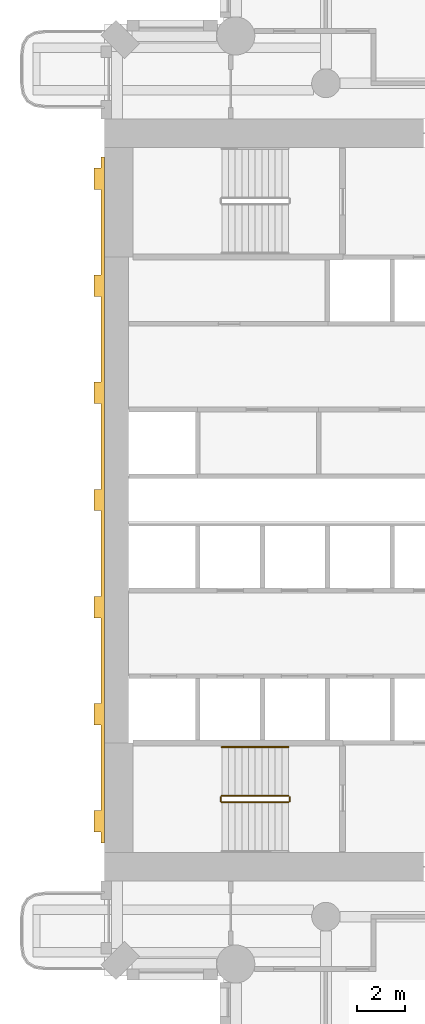
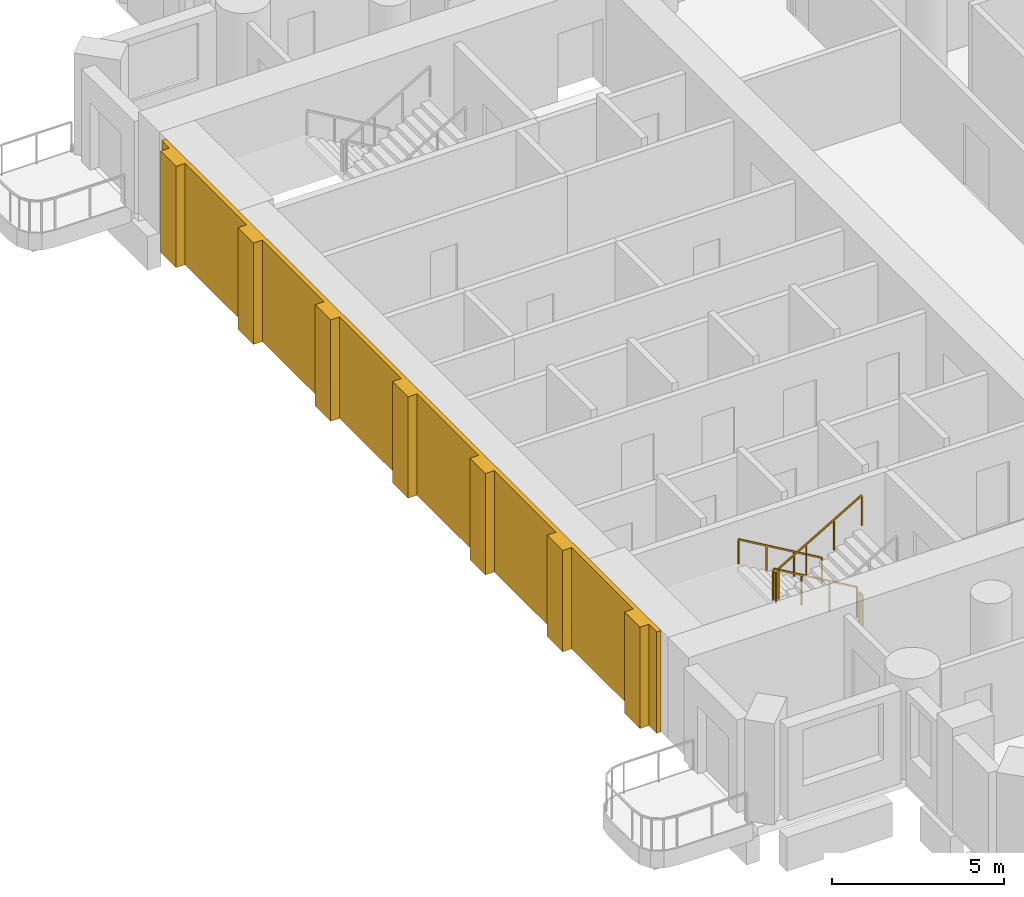
# One storey, part 14 of 20: 5 railings, 1 covering.
"""IFC4 building model written with IfcOpenShell, lengths in metres."""

from ifc_helpers import new_model, si_unit, direction, frame, origin, origin_2d, place, context, subcontext, project, spatial, polyline, rectangle, outline, extrude, material, layer, layer_set, type_object, element, save


model = new_model("IFC4")

# Units and contexts
model_context = context("Model", 3, precision=1e-05, world=origin(), true_north=direction((0.0, 1.0)))
body_context = subcontext(model_context, "Body", "Model", "MODEL_VIEW")
ifc_project = project(units=[si_unit("LENGTHUNIT", "METRE"), si_unit("AREAUNIT", "SQUARE_METRE"), si_unit("VOLUMEUNIT", "CUBIC_METRE"), si_unit("PLANEANGLEUNIT", "RADIAN"), si_unit("MASSUNIT", "GRAM", prefix="KILO")], contexts=[model_context])

# Site, building, storey
site_placement = place(None, origin())
site = spatial("IfcSite", under=ifc_project, at=site_placement, CompositionType="ELEMENT")
building_placement = place(site_placement, origin())
building = spatial("IfcBuilding", under=site, at=building_placement, Name="Cypress Arch Tower", CompositionType="ELEMENT")
storey_placement = place(building_placement, frame((0.0, 0.0, 62.699951171875)))
storey = spatial("IfcBuildingStorey", under=building, at=storey_placement, Name="L09", CompositionType="ELEMENT", Elevation=62.699951171875)

# Railings
ifc_material_1 = material(Name="Black powder-coated steel square bar 48 mm", Category="steel")
railing_type_1 = type_object("IfcRailingType", Name="Stair handrail HR1", PredefinedType="HANDRAIL", material=ifc_material_1)
railing_1_placement = place(storey_placement, frame((-22.27490234375, -10.375, 0.16357421875)))
element("IfcRailing", 1, at=railing_1_placement, inside=storey, type_object=railing_type_1, Name="L09 A stair handrail 1", PredefinedType="HANDRAIL", context=body_context, shape_type="SweptSolid", body=[
    extrude(rectangle(XDim=0.048095703125, YDim=0.048095703125, at=origin_2d()), frame((0.0, 0.0, 0.8759765625), z_axis=(-0.863360870873, 0.0, 0.504586966384), x_axis=(0.0, -1.0, 0.0)), (0.0, 0.0, 1.0), 3.2431640625),
    extrude(rectangle(XDim=0.0419921875, YDim=0.0419921875, at=origin_2d()), origin(), (0.0, 0.0, 1.0), 0.851806640625),
    extrude(rectangle(XDim=0.0419921875, YDim=0.0419921875, at=origin_2d()), frame((-0.933349609375, 0.0, 0.54541015625)), (0.0, 0.0, 1.0), 0.851806640625),
    extrude(rectangle(XDim=0.0419921875, YDim=0.0419921875, at=origin_2d()), frame((-1.86669921875, 0.0, 1.091064453125)), (0.0, 0.0, 1.0), 0.851806640625),
    extrude(rectangle(XDim=0.0419921875, YDim=0.0419921875, at=origin_2d()), frame((-2.800048828125, 0.0, 1.636474609375)), (0.0, 0.0, 1.0), 0.851806640625),
])
ifc_material_2 = material(Name="Black powder-coated steel balusters", Category="steel")
railing_type_2 = type_object("IfcRailingType", Name="Stair well guard G1", PredefinedType="GUARDRAIL", material=ifc_material_2)
railing_2_placement = place(storey_placement, frame((-22.27490234375, -12.425048828125, 0.16357421875)))
element("IfcRailing", 2, at=railing_2_placement, inside=storey, type_object=railing_type_2, Name="L09 A stair guard 1", PredefinedType="GUARDRAIL", context=body_context, shape_type="SweptSolid", body=[
    extrude(rectangle(XDim=0.048095703125, YDim=0.048095703125, at=origin_2d()), frame((0.0, 0.0, 1.076171875), z_axis=(-0.863360870873, 0.0, 0.504586966384), x_axis=(0.0, -1.0, 0.0)), (0.0, 0.0, 1.0), 3.2431640625),
    extrude(rectangle(XDim=0.0419921875, YDim=0.0419921875, at=origin_2d()), origin(), (0.0, 0.0, 1.0), 1.052001953125),
    extrude(rectangle(XDim=0.0419921875, YDim=0.0419921875, at=origin_2d()), frame((-0.933349609375, 0.0, 0.54541015625)), (0.0, 0.0, 1.0), 1.052001953125),
    extrude(rectangle(XDim=0.0419921875, YDim=0.0419921875, at=origin_2d()), frame((-1.86669921875, 0.0, 1.091064453125)), (0.0, 0.0, 1.0), 1.052001953125),
    extrude(rectangle(XDim=0.0419921875, YDim=0.0419921875, at=origin_2d()), frame((-2.800048828125, 0.0, 1.636474609375)), (0.0, 0.0, 1.0), 1.052001953125),
])
railing_3_placement = place(storey_placement, frame((-25.125, -12.47509765625, 1.800048828125)))
element("IfcRailing", 3, at=railing_3_placement, inside=storey, type_object=railing_type_2, Name="L09 A stair guard 2", PredefinedType="GUARDRAIL", context=body_context, shape_type="SweptSolid", body=[
    extrude(rectangle(XDim=0.048095703125, YDim=0.048095703125, at=origin_2d()), frame((0.0, 0.0, 1.076171875), z_axis=(0.0, -1.0, 0.0), x_axis=(1.0, 0.0, 0.0)), (0.0, 0.0, 1.0), 0.1748046875),
    extrude(rectangle(XDim=0.0419921875, YDim=0.0419921875, at=origin_2d()), origin(), (0.0, 0.0, 1.0), 1.052001953125),
    extrude(rectangle(XDim=0.0419921875, YDim=0.0419921875, at=origin_2d()), frame((0.0, -0.1748046875, 0.0)), (0.0, 0.0, 1.0), 1.052001953125),
])
railing_4_placement = place(storey_placement, frame((-25.074951171875, -12.699951171875, 1.963623046875)))
element("IfcRailing", 4, at=railing_4_placement, inside=storey, type_object=railing_type_2, Name="L09 A stair guard 3", PredefinedType="GUARDRAIL", context=body_context, shape_type="SweptSolid", body=[
    extrude(rectangle(XDim=0.048095703125, YDim=0.048095703125, at=origin_2d()), frame((0.0, 0.0, 1.076171875), z_axis=(0.863360870873, 0.0, 0.504586966384), x_axis=(0.0, 1.0, 0.0)), (0.0, 0.0, 1.0), 3.2431640625),
    extrude(rectangle(XDim=0.0419921875, YDim=0.0419921875, at=origin_2d()), origin(), (0.0, 0.0, 1.0), 1.052001953125),
    extrude(rectangle(XDim=0.0419921875, YDim=0.0419921875, at=origin_2d()), frame((0.933349609375, 0.0, 0.54541015625)), (0.0, 0.0, 1.0), 1.052001953125),
    extrude(rectangle(XDim=0.0419921875, YDim=0.0419921875, at=origin_2d()), frame((1.86669921875, 0.0, 1.091064453125)), (0.0, 0.0, 1.0), 1.052001953125),
    extrude(rectangle(XDim=0.0419921875, YDim=0.0419921875, at=origin_2d()), frame((2.800048828125, 0.0, 1.636474609375)), (0.0, 0.0, 1.0), 1.052001953125),
])
railing_5_placement = place(storey_placement, frame((-22.22509765625, -12.47509765625, 0.0)))
element("IfcRailing", 5, at=railing_5_placement, inside=storey, type_object=railing_type_2, Name="L09 A stair guard 4", PredefinedType="GUARDRAIL", context=body_context, shape_type="SweptSolid", body=[
    extrude(rectangle(XDim=0.048095703125, YDim=0.048095703125, at=origin_2d()), frame((0.0, 0.0, 1.076171875), z_axis=(0.0, -1.0, 0.0), x_axis=(1.0, 0.0, 0.0)), (0.0, 0.0, 1.0), 0.1748046875),
    extrude(rectangle(XDim=0.0419921875, YDim=0.0419921875, at=origin_2d()), origin(), (0.0, 0.0, 1.0), 1.052001953125),
    extrude(rectangle(XDim=0.0419921875, YDim=0.0419921875, at=origin_2d()), frame((0.0, -0.1748046875, 0.0)), (0.0, 0.0, 1.0), 1.052001953125),
])

# Covering
ifc_material_3 = material(Name="Brick (red buff blend)", Category="masonry")
ifc_layer = layer(ifc_material_3, 0.449951171875)
ifc_layer_set = layer_set([ifc_layer], Name="West face brick piers WP450")
covering_type = type_object("IfcCoveringType", Name="West face brick piers WP450", PredefinedType="CLADDING", material=ifc_layer_set)
covering_placement = place(storey_placement, origin())
element("IfcCovering", 6, at=covering_placement, inside=storey, type_object=covering_type, Name="West face brick piers L09", PredefinedType="CLADDING", context=body_context, shape_type="SweptSolid", body=[
    extrude(outline(polyline([(-30.14990234375, -13.050048828125), (-30.14990234375, -9.449951171875), (-30.449951171875, -9.449951171875), (-30.449951171875, -8.550048828125), (-30.14990234375, -8.550048828125), (-30.14990234375, -4.949951171875), (-30.449951171875, -4.949951171875), (-30.449951171875, -4.050048828125), (-30.14990234375, -4.050048828125), (-30.14990234375, -0.449951171875), (-30.449951171875, -0.449951171875), (-30.449951171875, 0.449951171875), (-30.14990234375, 0.449951171875), (-30.14990234375, 4.050048828125), (-30.449951171875, 4.050048828125), (-30.449951171875, 4.949951171875), (-30.14990234375, 4.949951171875), (-30.14990234375, 8.550048828125), (-30.449951171875, 8.550048828125), (-30.449951171875, 9.449951171875), (-30.14990234375, 9.449951171875), (-30.14990234375, 13.050048828125), (-30.449951171875, 13.050048828125), (-30.449951171875, 13.949951171875), (-30.14990234375, 13.949951171875), (-30.14990234375, 14.39990234375), (-30.0, 14.39990234375), (-30.0, -14.39990234375), (-30.14990234375, -14.39990234375), (-30.14990234375, -13.949951171875), (-30.449951171875, -13.949951171875), (-30.449951171875, -13.050048828125), (-30.14990234375, -13.050048828125)])), origin(), (0.0, 0.0, 1.0), 3.60009765625),
])

save(model, "model.ifc")
